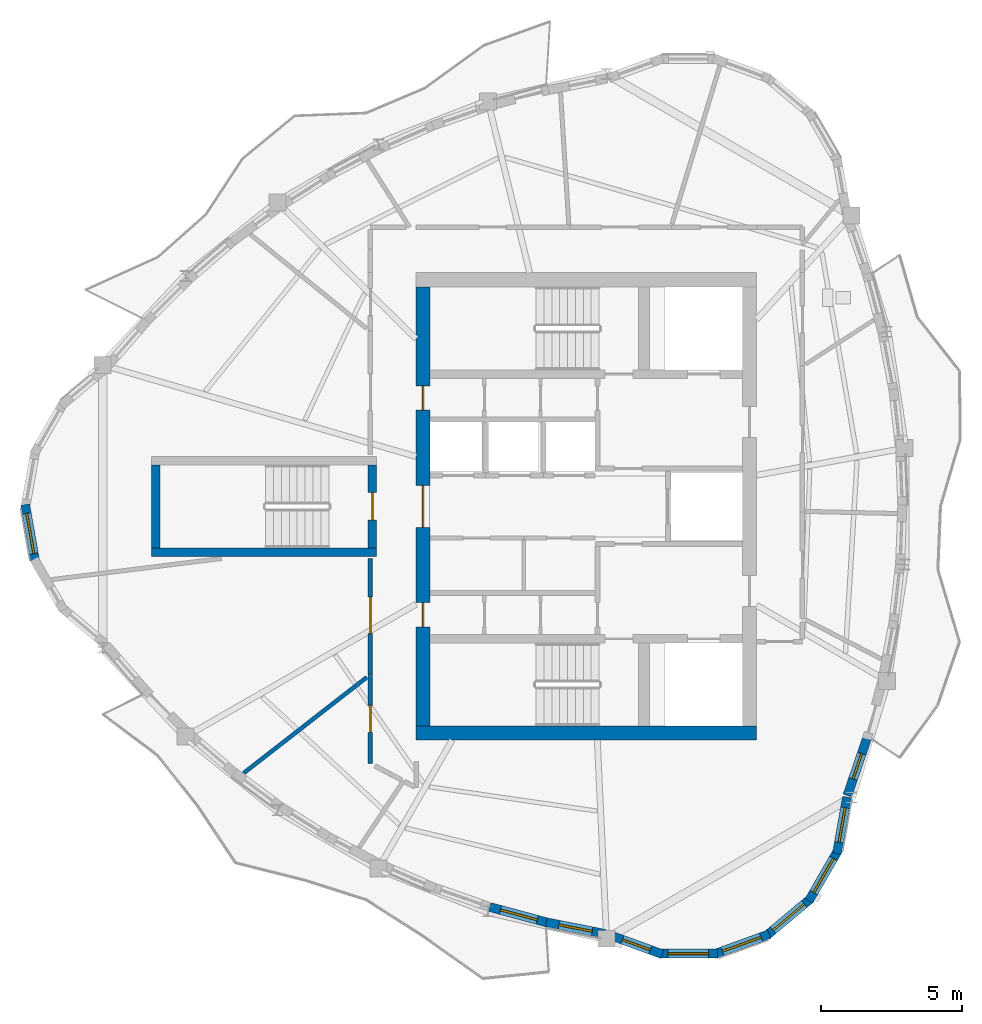
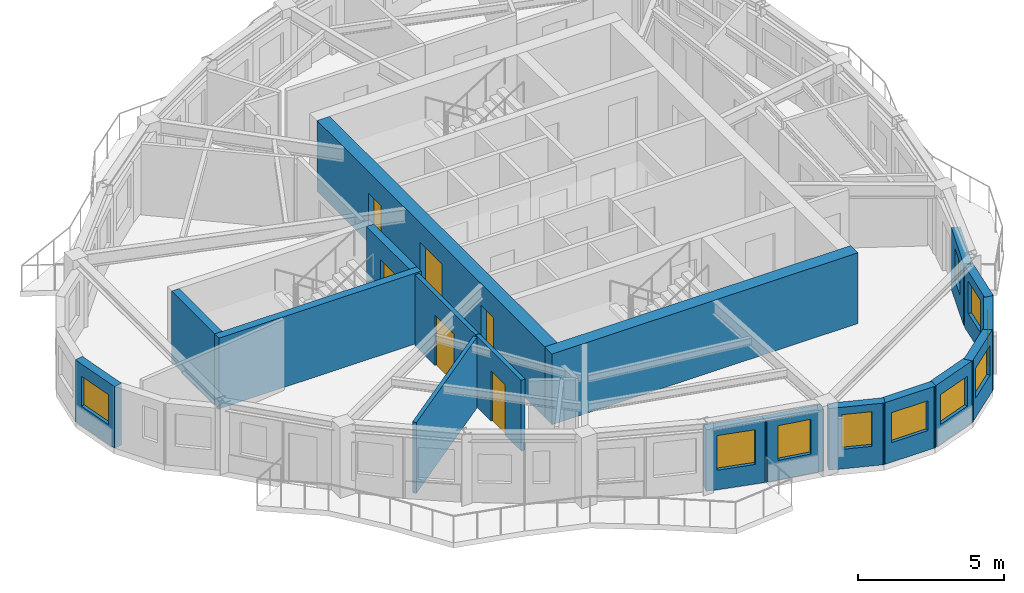
# One storey, part 3 of 11: 18 walls, 10 windows, 6 doors, 16 openings.
"""IFC4 building model written with IfcOpenShell, lengths in metres."""

from ifc_helpers import new_model, si_unit, direction, frame, frame_2d, origin, place, context, subcontext, project, spatial, rectangle, extrude, source, transform, mapped, material, layer, layer_set, type_object, element, fill, save


model = new_model("IFC4")

# Units and contexts
model_context = context("Model", 3, precision=1e-05, world=origin(), true_north=direction((0.0, 1.0)))
body_context = subcontext(model_context, "Body", "Model", "MODEL_VIEW")
ifc_project = project(units=[si_unit("LENGTHUNIT", "METRE"), si_unit("AREAUNIT", "SQUARE_METRE"), si_unit("VOLUMEUNIT", "CUBIC_METRE"), si_unit("PLANEANGLEUNIT", "RADIAN"), si_unit("MASSUNIT", "GRAM", prefix="KILO")], contexts=[model_context])

# Site, building, storey
site_placement = place(None, origin())
site = spatial("IfcSite", under=ifc_project, at=site_placement, CompositionType="ELEMENT")
building_placement = place(site_placement, origin())
building = spatial("IfcBuilding", under=site, at=building_placement, Name="Qafzar Sky-Pleat Residences", CompositionType="ELEMENT")
storey_placement = place(building_placement, frame((0.0, 0.0, 243.60009765625)))
storey = spatial("IfcBuildingStorey", under=building, at=storey_placement, Name="L73", CompositionType="ELEMENT", Elevation=243.60009765625)

# Wall, opening, door
ifc_material_1 = material(Name="Acoustic gypsum plasterboard partition", Category="gypsum")
ifc_layer_1 = layer(ifc_material_1, 0.159912109375)
ifc_layer_set_1 = layer_set([ifc_layer_1], Name="Acoustic gypsum plasterboard partition")
wall_type_1 = type_object("IfcWallType", Name="PART-COR-160", PredefinedType="PARTITIONING", material=ifc_layer_set_1)
wall_1_placement = place(storey_placement, frame((22.679931640625, 20.011962890625, 0.0), z_axis=(0.0, 0.0, 1.0), x_axis=(0.0, 1.0, 0.0)))
wall_1 = element("IfcWall", 1, at=wall_1_placement, inside=storey, type_object=wall_type_1, Name="L73 Partition Wall PART-L73-PW-004", PredefinedType="PARTITIONING", context=body_context, shape_type="SweptSolid", body=[
    extrude(rectangle(XDim=4.137939453125, YDim=0.159912109375, at=frame_2d((2.06884765625, 0.0))), origin(), (0.0, 0.0, 1.0), 2.9599609375),
])
opening_1_placement = place(wall_1_placement, frame((1.466064453125, 0.0, 0.0)))
opening_1 = element("IfcOpeningElement", 2, at=opening_1_placement, cuts=wall_1, Name="Opening ID-05", PredefinedType="OPENING", context=body_context, shape_type="SweptSolid", body=[
    extrude(rectangle(XDim=1.300048828125, YDim=2.10009765625, at=frame_2d((0.64990234375, 1.050048828125))), frame((0.0, 0.08984375, 0.0), z_axis=(0.0, -1.0, 0.0), x_axis=(1.0, 0.0, 0.0)), (0.0, 0.0, 1.0), 0.179931640625),
])
ifc_material_2 = material(Name="Timber-faced fire door", Category="wood")
door_type_1 = type_object("IfcDoorType", Name="DR-LNG-1300", OperationType="DOUBLE_DOOR_SINGLE_SWING", PredefinedType="DOOR", material=ifc_material_2)
shared_shape_1 = source(origin(), body_context, "Body", "SweptSolid", [
    extrude(rectangle(XDim=1.300048828125, YDim=2.10009765625, at=frame_2d((0.64990234375, 1.050048828125))), frame((0.0, 0.02490234375, 0.0), z_axis=(0.0, -1.0, 0.0), x_axis=(1.0, 0.0, 0.0)), (0.0, 0.0, 1.0), 0.050048828125),
])
door_1_placement = place(opening_1_placement, origin())
door_1 = element("IfcDoor", 3, at=door_1_placement, inside=storey, type_object=door_type_1, Name="L73 Research Conference Room Door", OperationType="DOUBLE_DOOR_SINGLE_SWING", OverallHeight=2.10009765625, OverallWidth=1.300048828125, PredefinedType="DOOR", context=body_context, shape_type="MappedRepresentation", body=[
    mapped(shared_shape_1, transform((0.0, 0.0, 0.0), x_axis=(1.0, 0.0, 0.0), y_axis=(0.0, 1.0, 0.0), z_axis=(0.0, 0.0, 1.0), scale=1.0)),
])
fill(opening_1, door_1)

wall_2_placement = place(storey_placement, frame((22.679931640625, 16.868896484375, 0.0), z_axis=(0.0, 0.0, 1.0), x_axis=(0.0, 1.0, 0.0)))
wall_2 = element("IfcWall", 4, at=wall_2_placement, inside=storey, type_object=wall_type_1, Name="L73 Partition Wall PART-L73-PW-008", PredefinedType="PARTITIONING", context=body_context, shape_type="SweptSolid", body=[
    extrude(rectangle(XDim=3.128173828125, YDim=0.159912109375, at=frame_2d((1.56396484375, 0.0))), origin(), (0.0, 0.0, 1.0), 2.9599609375),
])
opening_2_placement = place(wall_2_placement, frame((1.10107421875, 0.0, 0.0)))
opening_2 = element("IfcOpeningElement", 5, at=opening_2_placement, cuts=wall_2, Name="Opening ID-06", PredefinedType="OPENING", context=body_context, shape_type="SweptSolid", body=[
    extrude(rectangle(XDim=0.9599609375, YDim=2.10009765625, at=frame_2d((0.47998046875, 1.050048828125))), frame((0.0, 0.08984375, 0.0), z_axis=(0.0, -1.0, 0.0), x_axis=(1.0, 0.0, 0.0)), (0.0, 0.0, 1.0), 0.179931640625),
])
door_type_2 = type_object("IfcDoorType", Name="DR-STD-960", OperationType="NOTDEFINED", PredefinedType="DOOR", material=ifc_material_2)
shared_shape_2 = source(origin(), body_context, "Body", "SweptSolid", [
    extrude(rectangle(XDim=0.9599609375, YDim=2.10009765625, at=frame_2d((0.47998046875, 1.050048828125))), frame((0.0, 0.02490234375, 0.0), z_axis=(0.0, -1.0, 0.0), x_axis=(1.0, 0.0, 0.0)), (0.0, 0.0, 1.0), 0.050048828125),
])
door_2_placement = place(opening_2_placement, origin())
door_2 = element("IfcDoor", 6, at=door_2_placement, inside=storey, type_object=door_type_2, Name="L73 Wellness Yoga Studio Door", OperationType="SINGLE_SWING_RIGHT", OverallHeight=2.10009765625, OverallWidth=0.9599609375, PredefinedType="DOOR", context=body_context, shape_type="MappedRepresentation", body=[
    mapped(shared_shape_2, transform((0.0, 0.0, 0.0), x_axis=(1.0, 0.0, 0.0), y_axis=(0.0, 1.0, 0.0), z_axis=(0.0, 0.0, 1.0), scale=1.0)),
])
fill(opening_2, door_2)

# Wall
ifc_layer_2 = layer(ifc_material_1, 0.14501953125)
ifc_layer_set_2 = layer_set([ifc_layer_2], Name="Acoustic gypsum plasterboard partition")
wall_type_2 = type_object("IfcWallType", Name="PART-UNIT-145", PredefinedType="PARTITIONING", material=ifc_layer_set_2)
wall_3_placement = place(storey_placement, frame((18.182373046875, 16.530517578125, 0.0), z_axis=(0.0, 0.0, 1.0), x_axis=(0.789162127136, 0.614184937209, 0.0)))
element("IfcWall", 7, at=wall_3_placement, inside=storey, type_object=wall_type_2, Name="L73 Partition Wall PART-L73-PW-014", PredefinedType="PARTITIONING", context=body_context, shape_type="SweptSolid", body=[
    extrude(rectangle(XDim=5.53369140625, YDim=0.14501953125, at=frame_2d((2.766845703125, 0.0))), origin(), (0.0, 0.0, 1.0), 2.9599609375),
])

# Wall, opening, window
ifc_material_3 = material(Name="Precast concrete C40/50 with honed Riyadh limestone", Category="concrete")
ifc_layer_3 = layer(ifc_material_3, 0.320068359375)
ifc_layer_set_3 = layer_set([ifc_layer_3], Name="Precast concrete C40/50 with honed Riyadh limestone")
wall_type_3 = type_object("IfcWallType", Name="WALL-EXT-320", PredefinedType="SOLIDWALL", material=ifc_layer_set_3)
wall_4_placement = place(storey_placement, frame((10.416015625, 26.065185546875, 0.0), z_axis=(0.0, 0.0, 1.0), x_axis=(0.173672066494, -0.984803540469, 0.0)))
wall_4 = element("IfcWall", 8, at=wall_4_placement, inside=storey, type_object=wall_type_3, Name="L73 Limestone Facade Wall 4", PredefinedType="SOLIDWALL", context=body_context, shape_type="SweptSolid", body=[
    extrude(rectangle(XDim=2.09033203125, YDim=0.320068359375, at=frame_2d((1.045166015625, 0.0))), origin(), (0.0, 0.0, 1.0), 2.579833984375),
])
opening_3_placement = place(wall_4_placement, frame((0.3203125, 0.0, 0.820068359375)))
opening_3 = element("IfcOpeningElement", 9, at=opening_3_placement, cuts=wall_4, Name="Opening WN-15", PredefinedType="OPENING", context=body_context, shape_type="SweptSolid", body=[
    extrude(rectangle(XDim=1.449951171875, YDim=1.25, at=frame_2d((0.72509765625, 0.625))), frame((0.0, 0.169921875, 0.0), z_axis=(0.0, -1.0, 0.0), x_axis=(1.0, 0.0, 0.0)), (0.0, 0.0, 1.0), 0.340087890625),
])
ifc_material_4 = material(Name="Solar-control low-E glass in bronze aluminium frame", Category="glass")
window_type_1 = type_object("IfcWindowType", Name="WIN-15", PartitioningType="SINGLE_PANEL", PredefinedType="WINDOW", material=ifc_material_4)
shared_shape_3 = source(origin(), body_context, "Body", "SweptSolid", [
    extrude(rectangle(XDim=1.449951171875, YDim=1.25, at=frame_2d((0.72509765625, 0.625))), frame((0.0, 0.030029296875, 0.0), z_axis=(0.0, -1.0, 0.0), x_axis=(1.0, 0.0, 0.0)), (0.0, 0.0, 1.0), 0.06005859375),
])
window_1_placement = place(opening_3_placement, origin())
window_1 = element("IfcWindow", 10, at=window_1_placement, inside=storey, type_object=window_type_1, Name="L73 Punched Facade Window 04", OverallHeight=1.25, OverallWidth=1.449951171875, PartitioningType="SINGLE_PANEL", PredefinedType="WINDOW", context=body_context, shape_type="MappedRepresentation", body=[
    mapped(shared_shape_3, transform((0.0, 0.0, 0.0), x_axis=(1.0, 0.0, 0.0), y_axis=(0.0, 1.0, 0.0), z_axis=(0.0, 0.0, 1.0), scale=1.0)),
])
fill(opening_3, window_1)

wall_5_placement = place(storey_placement, frame((26.919677734375, 11.76904296875, 0.0), z_axis=(0.0, 0.0, 1.0), x_axis=(0.965460407189, -0.260549807427, 0.0)))
wall_5 = element("IfcWall", 11, at=wall_5_placement, inside=storey, type_object=wall_type_3, Name="L73 Limestone Facade Wall 15", PredefinedType="SOLIDWALL", context=body_context, shape_type="SweptSolid", body=[
    extrude(rectangle(XDim=2.156982421875, YDim=0.320068359375, at=frame_2d((1.07861328125, 0.0))), origin(), (0.0, 0.0, 1.0), 2.579833984375),
])
opening_4_placement = place(wall_5_placement, frame((0.3935546875, 0.0, 0.820068359375)))
opening_4 = element("IfcOpeningElement", 12, at=opening_4_placement, cuts=wall_5, Name="Opening WN-04", PredefinedType="OPENING", context=body_context, shape_type="SweptSolid", body=[
    extrude(rectangle(XDim=1.35009765625, YDim=1.449951171875, at=frame_2d((0.675048828125, 0.72509765625))), frame((0.0, 0.169921875, 0.0), z_axis=(0.0, -1.0, 0.0), x_axis=(1.0, 0.0, 0.0)), (0.0, 0.0, 1.0), 0.340087890625),
])
window_type_2 = type_object("IfcWindowType", Name="WIN-04", PartitioningType="SINGLE_PANEL", PredefinedType="WINDOW", material=ifc_material_4)
shared_shape_4 = source(origin(), body_context, "Body", "SweptSolid", [
    extrude(rectangle(XDim=1.35009765625, YDim=1.449951171875, at=frame_2d((0.675048828125, 0.72509765625))), frame((0.0, 0.030029296875, 0.0), z_axis=(0.0, -1.0, 0.0), x_axis=(1.0, 0.0, 0.0)), (0.0, 0.0, 1.0), 0.06005859375),
])
window_2_placement = place(opening_4_placement, origin())
window_2 = element("IfcWindow", 13, at=window_2_placement, inside=storey, type_object=window_type_2, Name="L73 Punched Facade Window 15", OverallHeight=1.449951171875, OverallWidth=1.35009765625, PartitioningType="SINGLE_PANEL", PredefinedType="WINDOW", context=body_context, shape_type="MappedRepresentation", body=[
    mapped(shared_shape_4, transform((0.0, 0.0, 0.0), x_axis=(1.0, 0.0, 0.0), y_axis=(0.0, 1.0, 0.0), z_axis=(0.0, 0.0, 1.0), scale=1.0)),
])
fill(opening_4, window_2)

wall_6_placement = place(storey_placement, frame((28.91748046875, 11.226806640625, 0.0), z_axis=(0.0, 0.0, 1.0), x_axis=(0.98121826348, -0.192900802003, 0.0)))
wall_6 = element("IfcWall", 14, at=wall_6_placement, inside=storey, type_object=wall_type_3, Name="L73 Limestone Facade Wall 16", PredefinedType="SOLIDWALL", context=body_context, shape_type="SweptSolid", body=[
    extrude(rectangle(XDim=2.132568359375, YDim=0.320068359375, at=frame_2d((1.06640625, 0.0))), origin(), (0.0, 0.0, 1.0), 2.579833984375),
])
opening_5_placement = place(wall_6_placement, frame((0.471435546875, 0.0, 0.820068359375)))
opening_5 = element("IfcOpeningElement", 15, at=opening_5_placement, cuts=wall_6, Name="Opening WN-05", PredefinedType="OPENING", context=body_context, shape_type="SweptSolid", body=[
    extrude(rectangle(XDim=1.199951171875, YDim=1.449951171875, at=frame_2d((0.60009765625, 0.72509765625))), frame((0.0, 0.169921875, 0.0), z_axis=(0.0, -1.0, 0.0), x_axis=(1.0, 0.0, 0.0)), (0.0, 0.0, 1.0), 0.340087890625),
])
window_type_3 = type_object("IfcWindowType", Name="WIN-05", PartitioningType="SINGLE_PANEL", PredefinedType="WINDOW", material=ifc_material_4)
shared_shape_5 = source(origin(), body_context, "Body", "SweptSolid", [
    extrude(rectangle(XDim=1.199951171875, YDim=1.449951171875, at=frame_2d((0.60009765625, 0.72509765625))), frame((0.0, 0.030029296875, 0.0), z_axis=(0.0, -1.0, 0.0), x_axis=(1.0, 0.0, 0.0)), (0.0, 0.0, 1.0), 0.06005859375),
])
window_3_placement = place(opening_5_placement, origin())
window_3 = element("IfcWindow", 16, at=window_3_placement, inside=storey, type_object=window_type_3, Name="L73 Punched Facade Window 16", OverallHeight=1.449951171875, OverallWidth=1.199951171875, PartitioningType="SINGLE_PANEL", PredefinedType="WINDOW", context=body_context, shape_type="MappedRepresentation", body=[
    mapped(shared_shape_5, transform((0.0, 0.0, 0.0), x_axis=(1.0, 0.0, 0.0), y_axis=(0.0, 1.0, 0.0), z_axis=(0.0, 0.0, 1.0), scale=1.0)),
])
fill(opening_5, window_3)

wall_7_placement = place(storey_placement, frame((31.206787109375, 10.760498046875, 0.0), z_axis=(0.0, 0.0, 1.0), x_axis=(0.939735287239, -0.34190289545, 0.0)))
wall_7 = element("IfcWall", 17, at=wall_7_placement, inside=storey, type_object=wall_type_3, Name="L73 Limestone Facade Wall 17", PredefinedType="SOLIDWALL", context=body_context, shape_type="SweptSolid", body=[
    extrude(rectangle(XDim=1.962158203125, YDim=0.320068359375, at=frame_2d((0.98095703125, 0.0))), origin(), (0.0, 0.0, 1.0), 2.579833984375),
])
opening_6_placement = place(wall_7_placement, frame((0.451171875, 0.0, 0.820068359375)))
opening_6 = element("IfcOpeningElement", 18, at=opening_6_placement, cuts=wall_7, Name="Opening WN-06", PredefinedType="OPENING", context=body_context, shape_type="SweptSolid", body=[
    extrude(rectangle(XDim=1.050048828125, YDim=1.449951171875, at=frame_2d((0.52490234375, 0.72509765625))), frame((0.0, 0.169921875, 0.0), z_axis=(0.0, -1.0, 0.0), x_axis=(1.0, 0.0, 0.0)), (0.0, 0.0, 1.0), 0.340087890625),
])
window_type_4 = type_object("IfcWindowType", Name="WIN-06", PartitioningType="SINGLE_PANEL", PredefinedType="WINDOW", material=ifc_material_4)
shared_shape_6 = source(origin(), body_context, "Body", "SweptSolid", [
    extrude(rectangle(XDim=1.050048828125, YDim=1.449951171875, at=frame_2d((0.52490234375, 0.72509765625))), frame((0.0, 0.030029296875, 0.0), z_axis=(0.0, -1.0, 0.0), x_axis=(1.0, 0.0, 0.0)), (0.0, 0.0, 1.0), 0.06005859375),
])
window_4_placement = place(opening_6_placement, origin())
window_4 = element("IfcWindow", 19, at=window_4_placement, inside=storey, type_object=window_type_4, Name="L73 Punched Facade Window 17", OverallHeight=1.449951171875, OverallWidth=1.050048828125, PartitioningType="SINGLE_PANEL", PredefinedType="WINDOW", context=body_context, shape_type="MappedRepresentation", body=[
    mapped(shared_shape_6, transform((0.0, 0.0, 0.0), x_axis=(1.0, 0.0, 0.0), y_axis=(0.0, 1.0, 0.0), z_axis=(0.0, 0.0, 1.0), scale=1.0)),
])
fill(opening_6, window_4)

wall_8_placement = place(storey_placement, frame((32.92236328125, 10.112060546875, 0.0), z_axis=(0.0, 0.0, 1.0), x_axis=(1.0, 0.0, 0.0)))
wall_8 = element("IfcWall", 20, at=wall_8_placement, inside=storey, type_object=wall_type_3, Name="L73 Limestone Facade Wall 18", PredefinedType="SOLIDWALL", context=body_context, shape_type="SweptSolid", body=[
    extrude(rectangle(XDim=2.09033203125, YDim=0.320068359375, at=frame_2d((1.045166015625, 0.0))), origin(), (0.0, 0.0, 1.0), 2.579833984375),
])
opening_7_placement = place(wall_8_placement, frame((0.3203125, 0.0, 0.820068359375)))
opening_7 = element("IfcOpeningElement", 21, at=opening_7_placement, cuts=wall_8, Name="Opening WN-15", PredefinedType="OPENING", context=body_context, shape_type="SweptSolid", body=[
    extrude(rectangle(XDim=1.449951171875, YDim=1.25, at=frame_2d((0.72509765625, 0.625))), frame((0.0, 0.169921875, 0.0), z_axis=(0.0, -1.0, 0.0), x_axis=(1.0, 0.0, 0.0)), (0.0, 0.0, 1.0), 0.340087890625),
])
window_5_placement = place(opening_7_placement, origin())
window_5 = element("IfcWindow", 22, at=window_5_placement, inside=storey, type_object=window_type_1, Name="L73 Punched Facade Window 18", OverallHeight=1.25, OverallWidth=1.449951171875, PartitioningType="SINGLE_PANEL", PredefinedType="WINDOW", context=body_context, shape_type="MappedRepresentation", body=[
    mapped(shared_shape_3, transform((0.0, 0.0, 0.0), x_axis=(1.0, 0.0, 0.0), y_axis=(0.0, 1.0, 0.0), z_axis=(0.0, 0.0, 1.0), scale=1.0)),
])
fill(opening_7, window_5)

wall_9_placement = place(storey_placement, frame((34.88427734375, 10.089599609375, 0.0), z_axis=(0.0, 0.0, 1.0), x_axis=(0.93973543134, 0.341902499383, 0.0)))
wall_9 = element("IfcWall", 23, at=wall_9_placement, inside=storey, type_object=wall_type_3, Name="L73 Limestone Facade Wall 19", PredefinedType="SOLIDWALL", context=body_context, shape_type="SweptSolid", body=[
    extrude(rectangle(XDim=2.090087890625, YDim=0.320068359375, at=frame_2d((1.044921875, 0.0))), origin(), (0.0, 0.0, 1.0), 2.579833984375),
])
opening_8_placement = place(wall_9_placement, frame((0.320068359375, 0.0, 0.820068359375)))
opening_8 = element("IfcOpeningElement", 24, at=opening_8_placement, cuts=wall_9, Name="Opening WN-15", PredefinedType="OPENING", context=body_context, shape_type="SweptSolid", body=[
    extrude(rectangle(XDim=1.449951171875, YDim=1.25, at=frame_2d((0.72509765625, 0.625))), frame((0.0, 0.169921875, 0.0), z_axis=(0.0, -1.0, 0.0), x_axis=(1.0, 0.0, 0.0)), (0.0, 0.0, 1.0), 0.340087890625),
])
window_6_placement = place(opening_8_placement, origin())
window_6 = element("IfcWindow", 25, at=window_6_placement, inside=storey, type_object=window_type_1, Name="L73 Punched Facade Window 19", OverallHeight=1.25, OverallWidth=1.449951171875, PartitioningType="SINGLE_PANEL", PredefinedType="WINDOW", context=body_context, shape_type="MappedRepresentation", body=[
    mapped(shared_shape_3, transform((0.0, 0.0, 0.0), x_axis=(1.0, 0.0, 0.0), y_axis=(0.0, 1.0, 0.0), z_axis=(0.0, 0.0, 1.0), scale=1.0)),
])
fill(opening_8, window_6)

wall_10_placement = place(storey_placement, frame((36.735595703125, 10.739013671875, 0.0), z_axis=(0.0, 0.0, 1.0), x_axis=(0.766024572719, 0.642811289563, 0.0)))
wall_10 = element("IfcWall", 26, at=wall_10_placement, inside=storey, type_object=wall_type_3, Name="L73 Limestone Facade Wall 20", PredefinedType="SOLIDWALL", context=body_context, shape_type="SweptSolid", body=[
    extrude(rectangle(XDim=2.09033203125, YDim=0.320068359375, at=frame_2d((1.045166015625, 0.0))), origin(), (0.0, 0.0, 1.0), 2.579833984375),
])
opening_9_placement = place(wall_10_placement, frame((0.3203125, 0.0, 0.820068359375)))
opening_9 = element("IfcOpeningElement", 27, at=opening_9_placement, cuts=wall_10, Name="Opening WN-15", PredefinedType="OPENING", context=body_context, shape_type="SweptSolid", body=[
    extrude(rectangle(XDim=1.449951171875, YDim=1.25, at=frame_2d((0.72509765625, 0.625))), frame((0.0, 0.169921875, 0.0), z_axis=(0.0, -1.0, 0.0), x_axis=(1.0, 0.0, 0.0)), (0.0, 0.0, 1.0), 0.340087890625),
])
window_7_placement = place(opening_9_placement, origin())
window_7 = element("IfcWindow", 28, at=window_7_placement, inside=storey, type_object=window_type_1, Name="L73 Punched Facade Window 20", OverallHeight=1.25, OverallWidth=1.449951171875, PartitioningType="SINGLE_PANEL", PredefinedType="WINDOW", context=body_context, shape_type="MappedRepresentation", body=[
    mapped(shared_shape_3, transform((0.0, 0.0, 0.0), x_axis=(1.0, 0.0, 0.0), y_axis=(0.0, 1.0, 0.0), z_axis=(0.0, 0.0, 1.0), scale=1.0)),
])
fill(opening_9, window_7)

wall_11_placement = place(storey_placement, frame((38.2529296875, 11.98291015625, 0.0), z_axis=(0.0, 0.0, 1.0), x_axis=(0.499995423472, 0.866028046028, 0.0)))
wall_11 = element("IfcWall", 29, at=wall_11_placement, inside=storey, type_object=wall_type_3, Name="L73 Limestone Facade Wall 21", PredefinedType="SOLIDWALL", context=body_context, shape_type="SweptSolid", body=[
    extrude(rectangle(XDim=2.09033203125, YDim=0.320068359375, at=frame_2d((1.045166015625, 0.0))), origin(), (0.0, 0.0, 1.0), 2.579833984375),
])
opening_10_placement = place(wall_11_placement, frame((0.34521484375, 0.0, 0.820068359375)))
opening_10 = element("IfcOpeningElement", 30, at=opening_10_placement, cuts=wall_11, Name="Opening WN-10", PredefinedType="OPENING", context=body_context, shape_type="SweptSolid", body=[
    extrude(rectangle(XDim=1.39990234375, YDim=1.35009765625, at=frame_2d((0.699951171875, 0.675048828125))), frame((0.0, 0.169921875, 0.0), z_axis=(0.0, -1.0, 0.0), x_axis=(1.0, 0.0, 0.0)), (0.0, 0.0, 1.0), 0.340087890625),
])
window_type_5 = type_object("IfcWindowType", Name="WIN-10", PartitioningType="SINGLE_PANEL", PredefinedType="WINDOW", material=ifc_material_4)
shared_shape_7 = source(origin(), body_context, "Body", "SweptSolid", [
    extrude(rectangle(XDim=1.39990234375, YDim=1.35009765625, at=frame_2d((0.699951171875, 0.675048828125))), frame((0.0, 0.030029296875, 0.0), z_axis=(0.0, -1.0, 0.0), x_axis=(1.0, 0.0, 0.0)), (0.0, 0.0, 1.0), 0.06005859375),
])
window_8_placement = place(opening_10_placement, origin())
window_8 = element("IfcWindow", 31, at=window_8_placement, inside=storey, type_object=window_type_5, Name="L73 Punched Facade Window 21", OverallHeight=1.35009765625, OverallWidth=1.39990234375, PartitioningType="SINGLE_PANEL", PredefinedType="WINDOW", context=body_context, shape_type="MappedRepresentation", body=[
    mapped(shared_shape_7, transform((0.0, 0.0, 0.0), x_axis=(1.0, 0.0, 0.0), y_axis=(0.0, 1.0, 0.0), z_axis=(0.0, 0.0, 1.0), scale=1.0)),
])
fill(opening_10, window_8)

wall_12_placement = place(storey_placement, frame((39.25341796875, 13.670654296875, 0.0), z_axis=(0.0, 0.0, 1.0), x_axis=(0.17370309897, 0.984798067326, 0.0)))
wall_12 = element("IfcWall", 32, at=wall_12_placement, inside=storey, type_object=wall_type_3, Name="L73 Limestone Facade Wall 22", PredefinedType="SOLIDWALL", context=body_context, shape_type="SweptSolid", body=[
    extrude(rectangle(XDim=2.032470703125, YDim=0.320068359375, at=frame_2d((1.01611328125, 0.0))), origin(), (0.0, 0.0, 1.0), 2.579833984375),
])
opening_11_placement = place(wall_12_placement, frame((0.401123046875, 0.0, 0.820068359375)))
opening_11 = element("IfcOpeningElement", 33, at=opening_11_placement, cuts=wall_12, Name="Opening WN-11", PredefinedType="OPENING", context=body_context, shape_type="SweptSolid", body=[
    extrude(rectangle(XDim=1.25, YDim=1.35009765625, at=frame_2d((0.625, 0.675048828125))), frame((0.0, 0.169921875, 0.0), z_axis=(0.0, -1.0, 0.0), x_axis=(1.0, 0.0, 0.0)), (0.0, 0.0, 1.0), 0.340087890625),
])
window_type_6 = type_object("IfcWindowType", Name="WIN-11", PartitioningType="SINGLE_PANEL", PredefinedType="WINDOW", material=ifc_material_4)
shared_shape_8 = source(origin(), body_context, "Body", "SweptSolid", [
    extrude(rectangle(XDim=1.25, YDim=1.35009765625, at=frame_2d((0.625, 0.675048828125))), frame((0.0, 0.030029296875, 0.0), z_axis=(0.0, -1.0, 0.0), x_axis=(1.0, 0.0, 0.0)), (0.0, 0.0, 1.0), 0.06005859375),
])
window_9_placement = place(opening_11_placement, origin())
window_9 = element("IfcWindow", 34, at=window_9_placement, inside=storey, type_object=window_type_6, Name="L73 Punched Facade Window 22", OverallHeight=1.35009765625, OverallWidth=1.25, PartitioningType="SINGLE_PANEL", PredefinedType="WINDOW", context=body_context, shape_type="MappedRepresentation", body=[
    mapped(shared_shape_8, transform((0.0, 0.0, 0.0), x_axis=(1.0, 0.0, 0.0), y_axis=(0.0, 1.0, 0.0), z_axis=(0.0, 0.0, 1.0), scale=1.0)),
])
fill(opening_11, window_9)

wall_13_placement = place(storey_placement, frame((39.62255859375, 15.734619140625, 0.0), z_axis=(0.0, 0.0, 1.0), x_axis=(0.323632845992, 0.946182741861, 0.0)))
wall_13 = element("IfcWall", 35, at=wall_13_placement, inside=storey, type_object=wall_type_3, Name="L73 Limestone Facade Wall 23", PredefinedType="SOLIDWALL", context=body_context, shape_type="SweptSolid", body=[
    extrude(rectangle(XDim=2.202880859375, YDim=0.320068359375, at=frame_2d((1.1015625, 0.0))), origin(), (0.0, 0.0, 1.0), 2.579833984375),
])
opening_12_placement = place(wall_13_placement, frame((0.616455078125, 0.0, 0.820068359375)))
opening_12 = element("IfcOpeningElement", 36, at=opening_12_placement, cuts=wall_13, Name="Opening WN-12", PredefinedType="OPENING", context=body_context, shape_type="SweptSolid", body=[
    extrude(rectangle(XDim=0.949951171875, YDim=1.35009765625, at=frame_2d((0.47509765625, 0.675048828125))), frame((0.0, 0.169921875, 0.0), z_axis=(0.0, -1.0, 0.0), x_axis=(1.0, 0.0, 0.0)), (0.0, 0.0, 1.0), 0.340087890625),
])
window_type_7 = type_object("IfcWindowType", Name="WIN-12", PartitioningType="SINGLE_PANEL", PredefinedType="WINDOW", material=ifc_material_4)
shared_shape_9 = source(origin(), body_context, "Body", "SweptSolid", [
    extrude(rectangle(XDim=0.949951171875, YDim=1.35009765625, at=frame_2d((0.47509765625, 0.675048828125))), frame((0.0, 0.030029296875, 0.0), z_axis=(0.0, -1.0, 0.0), x_axis=(1.0, 0.0, 0.0)), (0.0, 0.0, 1.0), 0.06005859375),
])
window_10_placement = place(opening_12_placement, origin())
window_10 = element("IfcWindow", 37, at=window_10_placement, inside=storey, type_object=window_type_7, Name="L73 Punched Facade Window 23", OverallHeight=1.35009765625, OverallWidth=0.949951171875, PartitioningType="SINGLE_PANEL", PredefinedType="WINDOW", context=body_context, shape_type="MappedRepresentation", body=[
    mapped(shared_shape_9, transform((0.0, 0.0, 0.0), x_axis=(1.0, 0.0, 0.0), y_axis=(0.0, 1.0, 0.0), z_axis=(0.0, 0.0, 1.0), scale=1.0)),
])
fill(opening_12, window_10)

# Walls
ifc_material_5 = material(Name="Concrete C60/75", Category="concrete")
ifc_layer_4 = layer(ifc_material_5, 0.300048828125)
ifc_layer_set_4 = layer_set([ifc_layer_4], Name="Concrete C60/75")
wall_type_4 = type_object("IfcWallType", Name="WALL-SHEAR-300", PredefinedType="SHEAR", material=ifc_layer_set_4)
wall_14_placement = place(storey_placement, frame((14.89990234375, 24.375, 0.0), z_axis=(0.0, 0.0, 1.0), x_axis=(1.0, 0.0, 0.0)))
element("IfcWall", 38, at=wall_14_placement, inside=storey, type_object=wall_type_4, Name="L73 ST3 wall S", PredefinedType="SHEAR", context=body_context, shape_type="SweptSolid", body=[
    extrude(rectangle(XDim=8.0, YDim=0.300048828125, at=frame_2d((4.0, 0.0))), origin(), (0.0, 0.0, 1.0), 2.9599609375),
])
wall_15_placement = place(storey_placement, frame((15.050048828125, 27.47509765625, 0.0), z_axis=(0.0, 0.0, 1.0), x_axis=(0.0, -1.0, 0.0)))
element("IfcWall", 39, at=wall_15_placement, inside=storey, type_object=wall_type_4, Name="L73 ST3 wall W", PredefinedType="SHEAR", context=body_context, shape_type="SweptSolid", body=[
    extrude(rectangle(XDim=2.9501953125, YDim=0.300048828125, at=frame_2d((1.47509765625, 0.0))), origin(), (0.0, 0.0, 1.0), 2.9599609375),
])

# Wall, opening, door
wall_16_placement = place(storey_placement, frame((22.75, 24.52490234375, 0.0), z_axis=(0.0, 0.0, 1.0), x_axis=(0.0, 1.0, 0.0)))
wall_16 = element("IfcWall", 40, at=wall_16_placement, inside=storey, type_object=wall_type_4, Name="L73 ST3 wall E", PredefinedType="SHEAR", context=body_context, shape_type="SweptSolid", body=[
    extrude(rectangle(XDim=2.9501953125, YDim=0.300048828125, at=frame_2d((1.47509765625, 0.0))), origin(), (0.0, 0.0, 1.0), 2.9599609375),
])
opening_13_placement = place(wall_16_placement, frame((0.985107421875, 0.0, 0.0)))
opening_13 = element("IfcOpeningElement", 41, at=opening_13_placement, cuts=wall_16, Name="Opening ID-01", PredefinedType="OPENING", context=body_context, shape_type="SweptSolid", body=[
    extrude(rectangle(XDim=0.97998046875, YDim=2.14990234375, at=frame_2d((0.489990234375, 1.074951171875))), frame((0.0, 0.16015625, 0.0), z_axis=(0.0, -1.0, 0.0), x_axis=(1.0, 0.0, 0.0)), (0.0, 0.0, 1.0), 0.320068359375),
])
door_type_3 = type_object("IfcDoorType", Name="DR-STAIR-980", OperationType="NOTDEFINED", PredefinedType="DOOR", material=ifc_material_2)
shared_shape_10 = source(origin(), body_context, "Body", "SweptSolid", [
    extrude(rectangle(XDim=0.97998046875, YDim=2.14990234375, at=frame_2d((0.489990234375, 1.074951171875))), frame((0.0, 0.02490234375, 0.0), z_axis=(0.0, -1.0, 0.0), x_axis=(1.0, 0.0, 0.0)), (0.0, 0.0, 1.0), 0.050048828125),
])
door_3_placement = place(opening_13_placement, origin())
door_3 = element("IfcDoor", 42, at=door_3_placement, inside=storey, type_object=door_type_3, Name="L73 Stair ST3 Fire Door", OperationType="SINGLE_SWING_LEFT", OverallHeight=2.14990234375, OverallWidth=0.97998046875, PredefinedType="DOOR", context=body_context, shape_type="MappedRepresentation", body=[
    mapped(shared_shape_10, transform((0.0, 0.0, 0.0), x_axis=(1.0, 0.0, 0.0), y_axis=(0.0, 1.0, 0.0), z_axis=(0.0, 0.0, 1.0), scale=1.0)),
])
fill(opening_13, door_3)

# Wall
ifc_layer_5 = layer(ifc_material_5, 0.5)
ifc_layer_set_5 = layer_set([ifc_layer_5], Name="Concrete C60/75")
wall_type_5 = type_object("IfcWallType", Name="WALL-SHEAR-500", PredefinedType="SHEAR", material=ifc_layer_set_5)
wall_17_placement = place(storey_placement, frame((24.300048828125, 17.949951171875, 0.0), z_axis=(0.0, 0.0, 1.0), x_axis=(1.0, 0.0, 0.0)))
element("IfcWall", 43, at=wall_17_placement, inside=storey, type_object=wall_type_5, Name="L73 CORE wall S", PredefinedType="SHEAR", context=body_context, shape_type="SweptSolid", body=[
    extrude(rectangle(XDim=12.099853515625, YDim=0.5, at=frame_2d((6.0498046875, 0.0))), origin(), (0.0, 0.0, 1.0), 2.9599609375),
])

# Wall, openings, doors
wall_18_placement = place(storey_placement, frame((24.550048828125, 33.800048828125, 0.0), z_axis=(0.0, 0.0, 1.0), x_axis=(0.0, -1.0, 0.0)))
wall_18 = element("IfcWall", 44, at=wall_18_placement, inside=storey, type_object=wall_type_5, Name="L73 CORE wall W", PredefinedType="SHEAR", context=body_context, shape_type="SweptSolid", body=[
    extrude(rectangle(XDim=15.60009765625, YDim=0.5, at=frame_2d((7.800048828125, 0.0))), origin(), (0.0, 0.0, 1.0), 2.9599609375),
])
opening_14_placement = place(wall_18_placement, frame((7.050048828125, 0.0, 0.0)))
opening_14 = element("IfcOpeningElement", 45, at=opening_14_placement, cuts=wall_18, Name="Opening ID-03", PredefinedType="OPENING", context=body_context, shape_type="SweptSolid", body=[
    extrude(rectangle(XDim=1.5, YDim=2.14990234375, at=frame_2d((0.75, 1.074951171875))), frame((0.0, 0.260009765625, 0.0), z_axis=(0.0, -1.0, 0.0), x_axis=(1.0, 0.0, 0.0)), (0.0, 0.0, 1.0), 0.52001953125),
])
opening_15_placement = place(wall_18_placement, frame((3.52001953125, 0.0, 0.0)))
opening_15 = element("IfcOpeningElement", 46, at=opening_15_placement, cuts=wall_18, Name="Opening ID-09", PredefinedType="OPENING", context=body_context, shape_type="SweptSolid", body=[
    extrude(rectangle(XDim=0.860107421875, YDim=2.050048828125, at=frame_2d((0.43017578125, 1.02490234375))), frame((0.0, 0.260009765625, 0.0), z_axis=(0.0, -1.0, 0.0), x_axis=(1.0, 0.0, 0.0)), (0.0, 0.0, 1.0), 0.52001953125),
])
opening_16_placement = place(wall_18_placement, frame((11.219970703125, 0.0, 0.0)))
opening_16 = element("IfcOpeningElement", 47, at=opening_16_placement, cuts=wall_18, Name="Opening ID-09", PredefinedType="OPENING", context=body_context, shape_type="SweptSolid", body=[
    extrude(rectangle(XDim=0.860107421875, YDim=2.050048828125, at=frame_2d((0.43017578125, 1.02490234375))), frame((0.0, 0.260009765625, 0.0), z_axis=(0.0, -1.0, 0.0), x_axis=(1.0, 0.0, 0.0)), (0.0, 0.0, 1.0), 0.52001953125),
])
door_type_4 = type_object("IfcDoorType", Name="DR-COR-1500", OperationType="DOUBLE_DOOR_SINGLE_SWING", PredefinedType="DOOR", material=ifc_material_2)
shared_shape_11 = source(origin(), body_context, "Body", "SweptSolid", [
    extrude(rectangle(XDim=1.5, YDim=2.14990234375, at=frame_2d((0.75, 1.074951171875))), frame((0.0, 0.02490234375, 0.0), z_axis=(0.0, -1.0, 0.0), x_axis=(1.0, 0.0, 0.0)), (0.0, 0.0, 1.0), 0.050048828125),
])
door_4_placement = place(opening_14_placement, origin())
door_4 = element("IfcDoor", 48, at=door_4_placement, inside=storey, type_object=door_type_4, Name="L73 Lift Lobby West Double Door", OperationType="DOUBLE_DOOR_SINGLE_SWING", OverallHeight=2.14990234375, OverallWidth=1.5, PredefinedType="DOOR", context=body_context, shape_type="MappedRepresentation", body=[
    mapped(shared_shape_11, transform((0.0, 0.0, 0.0), x_axis=(1.0, 0.0, 0.0), y_axis=(0.0, 1.0, 0.0), z_axis=(0.0, 0.0, 1.0), scale=1.0)),
])
fill(opening_14, door_4)
door_type_5 = type_object("IfcDoorType", Name="DR-SVC-860", OperationType="NOTDEFINED", PredefinedType="DOOR", material=ifc_material_2)
shared_shape_12 = source(origin(), body_context, "Body", "SweptSolid", [
    extrude(rectangle(XDim=0.860107421875, YDim=2.050048828125, at=frame_2d((0.43017578125, 1.02490234375))), frame((0.0, 0.02490234375, 0.0), z_axis=(0.0, -1.0, 0.0), x_axis=(1.0, 0.0, 0.0)), (0.0, 0.0, 1.0), 0.050048828125),
])
door_5_placement = place(opening_15_placement, origin())
door_5 = element("IfcDoor", 49, at=door_5_placement, inside=storey, type_object=door_type_5, Name="L73 Core North-West Service Door", OperationType="SINGLE_SWING_RIGHT", OverallHeight=2.050048828125, OverallWidth=0.860107421875, PredefinedType="DOOR", context=body_context, shape_type="MappedRepresentation", body=[
    mapped(shared_shape_12, transform((0.0, 0.0, 0.0), x_axis=(1.0, 0.0, 0.0), y_axis=(0.0, 1.0, 0.0), z_axis=(0.0, 0.0, 1.0), scale=1.0)),
])
fill(opening_15, door_5)
door_6_placement = place(opening_16_placement, origin())
door_6 = element("IfcDoor", 50, at=door_6_placement, inside=storey, type_object=door_type_5, Name="L73 Core South-West Service Door", OperationType="SINGLE_SWING_LEFT", OverallHeight=2.050048828125, OverallWidth=0.860107421875, PredefinedType="DOOR", context=body_context, shape_type="MappedRepresentation", body=[
    mapped(shared_shape_12, transform((0.0, 0.0, 0.0), x_axis=(1.0, 0.0, 0.0), y_axis=(0.0, 1.0, 0.0), z_axis=(0.0, 0.0, 1.0), scale=1.0)),
])
fill(opening_16, door_6)

save(model, "model.ifc")
